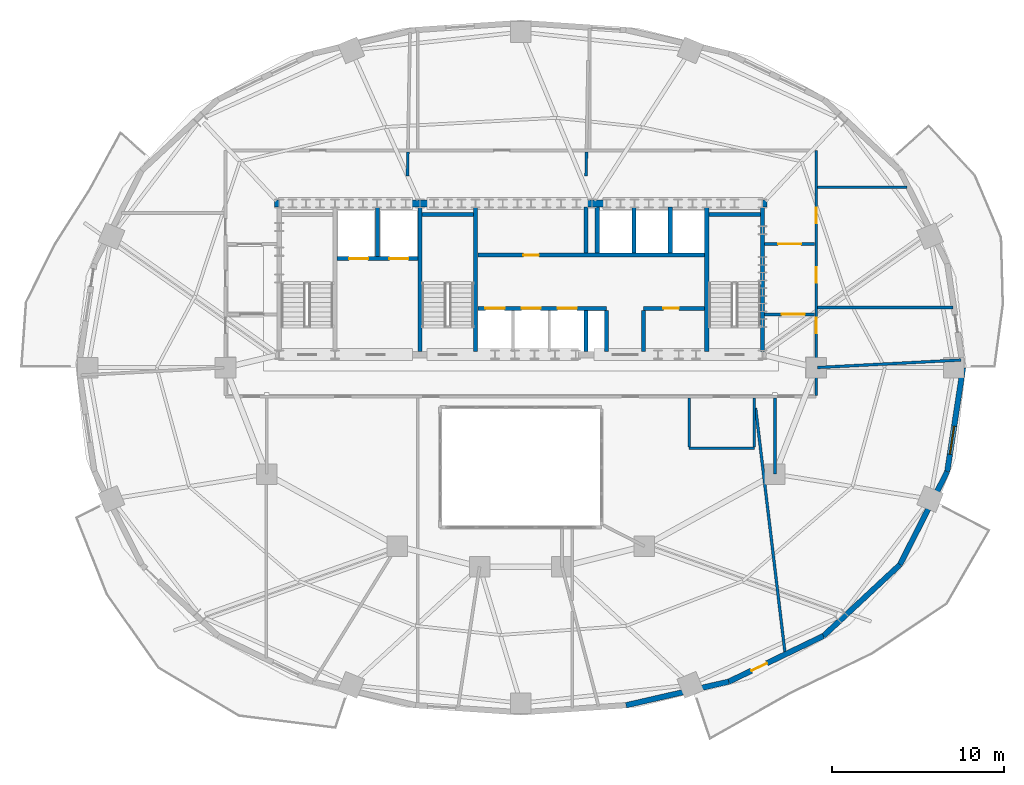
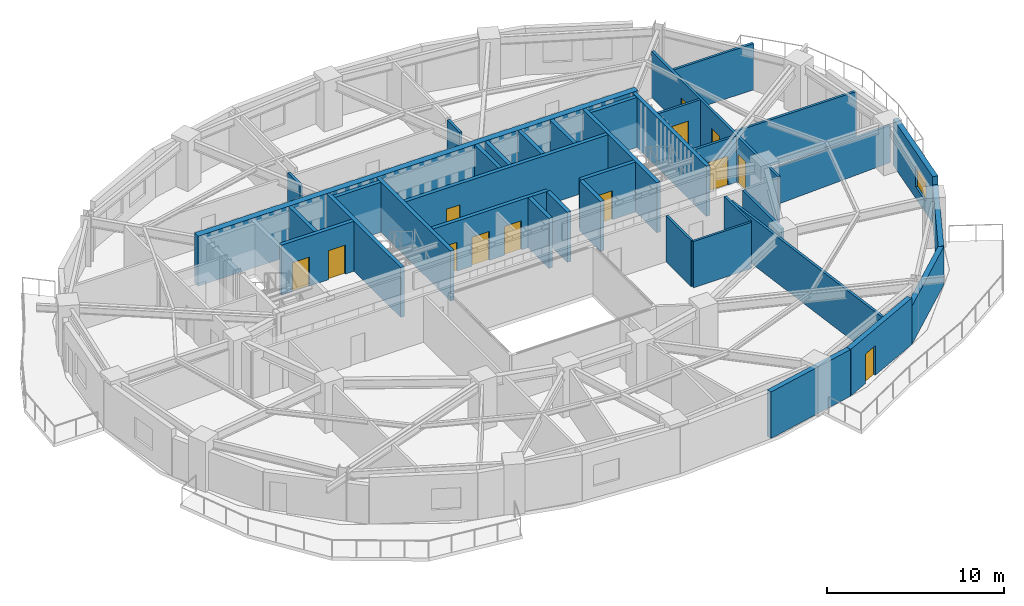
# One storey, part 7 of 11: 37 walls, 13 doors, 1 window, 14 openings.
"""IFC4 building model written with IfcOpenShell, lengths in metres."""

from ifc_helpers import new_model, si_unit, direction, frame, frame_2d, origin, place, context, subcontext, project, spatial, rectangle, extrude, material, layer, layer_set, type_object, element, fill, save


model = new_model("IFC4")

# Units and contexts
model_context = context("Model", 3, precision=1e-05, world=origin(), true_north=direction((0.0, 1.0)))
body_context = subcontext(model_context, "Body", "Model", "MODEL_VIEW")
ifc_project = project(units=[si_unit("LENGTHUNIT", "METRE"), si_unit("AREAUNIT", "SQUARE_METRE"), si_unit("VOLUMEUNIT", "CUBIC_METRE"), si_unit("PLANEANGLEUNIT", "RADIAN"), si_unit("MASSUNIT", "GRAM", prefix="KILO")], contexts=[model_context])

# Site, building, storey
site_placement = place(None, origin())
site = spatial("IfcSite", under=ifc_project, at=site_placement, CompositionType="ELEMENT")
building_placement = place(site_placement, origin())
building = spatial("IfcBuilding", under=site, at=building_placement, Name="Haldorwick Loom Tower", CompositionType="ELEMENT")
storey_placement = place(building_placement, frame((0.0, 0.0, 164.800048828125)))
storey = spatial("IfcBuildingStorey", under=building, at=storey_placement, Name="L44", CompositionType="ELEMENT", Elevation=164.800048828125)

# Wall
ifc_material_1 = material(Name="Pressed Clay Face Brick and Insulated Masonry Backup Assembly", Category="masonry")
ifc_layer_1 = layer(ifc_material_1, 0.320068359375, Name="Pressed Clay Face Brick and Insulated Masonry Backup Assembly", Category="masonry")
ifc_layer_set_1 = layer_set([ifc_layer_1], Name="Pressed Clay Face Brick and Insulated Masonry Backup Assembly")
wall_type_1 = type_object("IfcWallType", Name="ARC-WL-EXT320", PredefinedType="STANDARD", material=ifc_layer_set_1)
wall_1_placement = place(storey_placement, frame((42.12890625, 6.3359375, 0.0), z_axis=(0.0, 0.0, 1.0), x_axis=(0.974593223547, 0.223982250674, 0.0)))
element("IfcWall", 1, at=wall_1_placement, inside=storey, type_object=wall_type_1, Name="L44 Brick Pier and Spandrel Wall 20", PredefinedType="STANDARD", context=body_context, shape_type="SweptSolid", body=[
    extrude(rectangle(XDim=6.138916015625, YDim=0.320068359375, at=frame_2d((3.0693359375, 0.0))), origin(), (0.0, 0.0, 1.0), 3.2099609375),
])

# Wall, opening, door
wall_2_placement = place(storey_placement, frame((48.11181640625, 7.7109375, 0.0), z_axis=(0.0, 0.0, 1.0), x_axis=(0.900479976617, 0.434897472644, 0.0)))
wall_2 = element("IfcWall", 2, at=wall_2_placement, inside=storey, type_object=wall_type_1, Name="L44 Brick Pier and Spandrel Wall 21", PredefinedType="STANDARD", context=body_context, shape_type="SweptSolid", body=[
    extrude(rectangle(XDim=6.118408203125, YDim=0.320068359375, at=frame_2d((3.05908203125, 0.0))), origin(), (0.0, 0.0, 1.0), 3.2099609375),
])
opening_1_placement = place(wall_2_placement, frame((1.460693359375, 0.0, 0.0)))
opening_1 = element("IfcOpeningElement", 3, at=opening_1_placement, cuts=wall_2, Name="Opening D-BL10", PredefinedType="OPENING", context=body_context, shape_type="SweptSolid", body=[
    extrude(rectangle(XDim=1.0, YDim=2.0400390625, at=frame_2d((0.5, 1.02001953125))), frame((0.0, 0.169921875, 0.0), z_axis=(0.0, -1.0, 0.0), x_axis=(1.0, 0.0, 0.0)), (0.0, 0.0, 1.0), 0.340087890625),
])
ifc_material_2 = material(Name="Thermally Broken Anodized Aluminium Curtain Wall Framing", Category="aluminium")
door_type_1 = type_object("IfcDoorType", Name="ARC-DR-BAL100", OperationType="NOTDEFINED", PredefinedType="DOOR", material=ifc_material_2)
door_1_placement = place(opening_1_placement, origin())
door_1 = element("IfcDoor", 4, at=door_1_placement, inside=storey, type_object=door_type_1, Name="L44 Outdoor Terrace Door SLB-L44-BAL_SE", OperationType="SINGLE_SWING_RIGHT", OverallHeight=2.0400390625, OverallWidth=1.0, PredefinedType="DOOR", context=body_context, shape_type="SweptSolid", body=[
    extrude(rectangle(XDim=1.0, YDim=2.0400390625, at=frame_2d((0.5, 1.02001953125))), frame((0.0, 0.02490234375, 0.0), z_axis=(0.0, -1.0, 0.0), x_axis=(1.0, 0.0, 0.0)), (0.0, 0.0, 1.0), 0.050048828125),
])
fill(opening_1, door_1)

# Walls
for number, where, z_axis, x_axis, name in (
    (5, (53.621337890625, 10.371826171875, 0.0), (0.0, 0.0, 1.0), (0.731982952968, 0.681322945866, 0.0), "L44 Brick Pier and Spandrel Wall 22"),
    (6, (58.07666015625, 14.518798828125, 0.0), (0.0, 0.0, 1.0), (0.453172129629, 0.89142303141, 0.0), "L44 Brick Pier and Spandrel Wall 23"),
):
    element("IfcWall", number, at=place(storey_placement, frame(where, z_axis=z_axis, x_axis=x_axis)), inside=storey, type_object=wall_type_1, Name=name, PredefinedType="STANDARD", context=body_context, shape_type="SweptSolid", body=[
        extrude(rectangle(XDim=6.086669921875, YDim=0.320068359375, at=frame_2d((3.04345703125, 0.0))), origin(), (0.0, 0.0, 1.0), 2.640869140625),
    ])

# Wall, opening, window
wall_3_placement = place(storey_placement, frame((60.8349609375, 19.944580078125, 0.0), z_axis=(0.0, 0.0, 1.0), x_axis=(0.150544467684, 0.988603238539, 0.0)))
wall_3 = element("IfcWall", 7, at=wall_3_placement, inside=storey, type_object=wall_type_1, Name="L44 Brick Pier and Spandrel Wall 24", PredefinedType="STANDARD", context=body_context, shape_type="SweptSolid", body=[
    extrude(rectangle(XDim=6.125244140625, YDim=0.320068359375, at=frame_2d((3.0625, 0.0))), origin(), (0.0, 0.0, 1.0), 3.2099609375),
])
opening_2_placement = place(wall_3_placement, frame((1.0126953125, 0.0, 0.800048828125)))
opening_2 = element("IfcOpeningElement", 8, at=opening_2_placement, cuts=wall_3, Name="Opening W-01B", PredefinedType="OPENING", context=body_context, shape_type="SweptSolid", body=[
    extrude(rectangle(XDim=1.64990234375, YDim=1.449951171875, at=frame_2d((0.824951171875, 0.72509765625))), frame((0.0, 0.169921875, 0.0), z_axis=(0.0, -1.0, 0.0), x_axis=(1.0, 0.0, 0.0)), (0.0, 0.0, 1.0), 0.340087890625),
])
ifc_material_3 = material(Name="Triple-Glazed Low-E Argon Insulated Glazing Unit", Category="glass")
window_type = type_object("IfcWindowType", Name="ARC-WIN-W165", PartitioningType="SINGLE_PANEL", PredefinedType="WINDOW", material=ifc_material_3)
window_placement = place(opening_2_placement, origin())
window = element("IfcWindow", 9, at=window_placement, inside=storey, type_object=window_type, Name="L44 Deep-Set Zone 7A Window 24", OverallHeight=1.449951171875, OverallWidth=1.64990234375, PartitioningType="SINGLE_PANEL", PredefinedType="WINDOW", context=body_context, shape_type="SweptSolid", body=[
    extrude(rectangle(XDim=1.64990234375, YDim=1.449951171875, at=frame_2d((0.824951171875, 0.72509765625))), frame((0.0, 0.030029296875, 0.0), z_axis=(0.0, -1.0, 0.0), x_axis=(1.0, 0.0, 0.0)), (0.0, 0.0, 1.0), 0.06005859375),
])
fill(opening_2, window)

# Wall, openings, doors
ifc_material_4 = material(Name="Fire-Rated Type X Gypsum Stud Assembly EI 60")
ifc_layer_2 = layer(ifc_material_4, 0.159912109375, Name="Fire-Rated Type X Gypsum Stud Assembly EI 60")
ifc_layer_set_2 = layer_set([ifc_layer_2], Name="Fire-Rated Type X Gypsum Stud Assembly EI 60")
wall_type_2 = type_object("IfcWallType", Name="ARC-WL-FIRE160", PredefinedType="PARTITIONING", material=ifc_layer_set_2)
wall_4_placement = place(storey_placement, frame((53.199951171875, 24.383056640625, 0.0), z_axis=(0.0, 0.0, 1.0), x_axis=(0.0, 1.0, 0.0)))
wall_4 = element("IfcWall", 10, at=wall_4_placement, inside=storey, type_object=wall_type_2, Name="L44 Residential Fire Partition L44-CR-E0", PredefinedType="PARTITIONING", context=body_context, shape_type="SweptSolid", body=[
    extrude(rectangle(XDim=14.266845703125, YDim=0.159912109375, at=frame_2d((7.13330078125, 0.0))), origin(), (0.0, 0.0, 1.0), 3.195068359375),
])
opening_3_placement = place(wall_4_placement, frame((6.572021484375, 0.0, 0.0)))
opening_3 = element("IfcOpeningElement", 11, at=opening_3_placement, cuts=wall_4, Name="Opening D-FD60A", PredefinedType="OPENING", context=body_context, shape_type="SweptSolid", body=[
    extrude(rectangle(XDim=0.89990234375, YDim=2.0, at=frame_2d((0.449951171875, 1.0))), frame((0.0, 0.08984375, 0.0), z_axis=(0.0, -1.0, 0.0), x_axis=(1.0, 0.0, 0.0)), (0.0, 0.0, 1.0), 0.179931640625),
])
opening_4_placement = place(wall_4_placement, frame((3.619873046875, 0.0, 0.0)))
opening_4 = element("IfcOpeningElement", 12, at=opening_4_placement, cuts=wall_4, Name="Opening D-FD60A", PredefinedType="OPENING", context=body_context, shape_type="SweptSolid", body=[
    extrude(rectangle(XDim=0.89990234375, YDim=2.0, at=frame_2d((0.449951171875, 1.0))), frame((0.0, 0.08984375, 0.0), z_axis=(0.0, -1.0, 0.0), x_axis=(1.0, 0.0, 0.0)), (0.0, 0.0, 1.0), 0.179931640625),
])
opening_5_placement = place(wall_4_placement, frame((10.02734375, 0.0, 0.0)))
opening_5 = element("IfcOpeningElement", 13, at=opening_5_placement, cuts=wall_4, Name="Opening D-FD60A", PredefinedType="OPENING", context=body_context, shape_type="SweptSolid", body=[
    extrude(rectangle(XDim=0.89990234375, YDim=2.0, at=frame_2d((0.449951171875, 1.0))), frame((0.0, 0.08984375, 0.0), z_axis=(0.0, -1.0, 0.0), x_axis=(1.0, 0.0, 0.0)), (0.0, 0.0, 1.0), 0.179931640625),
])
ifc_material_5 = material(Name="Hollow Steel Fire Door Assembly", Category="steel")
door_type_2 = type_object("IfcDoorType", Name="ARC-DR-FD60-90", OperationType="NOTDEFINED", PredefinedType="DOOR", material=ifc_material_5)
door_2_placement = place(opening_3_placement, origin())
door_2 = element("IfcDoor", 14, at=door_2_placement, inside=storey, type_object=door_type_2, Name="L44 L44 East Residential Corridor to Co-Working Office 3 Door", OperationType="SINGLE_SWING_RIGHT", OverallHeight=2.0, OverallWidth=0.89990234375, PredefinedType="DOOR", context=body_context, shape_type="SweptSolid", body=[
    extrude(rectangle(XDim=0.89990234375, YDim=2.0, at=frame_2d((0.449951171875, 1.0))), frame((0.0, 0.02490234375, 0.0), z_axis=(0.0, -1.0, 0.0), x_axis=(1.0, 0.0, 0.0)), (0.0, 0.0, 1.0), 0.050048828125),
])
fill(opening_3, door_2)
door_3_placement = place(opening_4_placement, origin())
door_3 = element("IfcDoor", 15, at=door_3_placement, inside=storey, type_object=door_type_2, Name="L44 L44 Central Residential Corridor to Co-Working Office 1 Door", OperationType="SINGLE_SWING_LEFT", OverallHeight=2.0, OverallWidth=0.89990234375, PredefinedType="DOOR", context=body_context, shape_type="SweptSolid", body=[
    extrude(rectangle(XDim=0.89990234375, YDim=2.0, at=frame_2d((0.449951171875, 1.0))), frame((0.0, 0.02490234375, 0.0), z_axis=(0.0, -1.0, 0.0), x_axis=(1.0, 0.0, 0.0)), (0.0, 0.0, 1.0), 0.050048828125),
])
fill(opening_4, door_3)
door_4_placement = place(opening_5_placement, origin())
door_4 = element("IfcDoor", 16, at=door_4_placement, inside=storey, type_object=door_type_2, Name="L44 L44 North Residential Corridor to Co-Working Office 3 Door", OperationType="SINGLE_SWING_RIGHT", OverallHeight=2.0, OverallWidth=0.89990234375, PredefinedType="DOOR", context=body_context, shape_type="SweptSolid", body=[
    extrude(rectangle(XDim=0.89990234375, YDim=2.0, at=frame_2d((0.449951171875, 1.0))), frame((0.0, 0.02490234375, 0.0), z_axis=(0.0, -1.0, 0.0), x_axis=(1.0, 0.0, 0.0)), (0.0, 0.0, 1.0), 0.050048828125),
])
fill(opening_5, door_4)

# Wall, opening, door
wall_5_placement = place(storey_placement, frame((50.193115234375, 29.10009765625, 0.0), z_axis=(0.0, 0.0, 1.0), x_axis=(1.0, 0.0, 0.0)))
wall_5 = element("IfcWall", 17, at=wall_5_placement, inside=storey, type_object=wall_type_2, Name="L44 Residential Fire Partition L44-CR-ESJ", PredefinedType="PARTITIONING", context=body_context, shape_type="SweptSolid", body=[
    extrude(rectangle(XDim=2.923828125, YDim=0.159912109375, at=frame_2d((1.4619140625, 0.0))), origin(), (0.0, 0.0, 1.0), 3.195068359375),
])
opening_6_placement = place(wall_5_placement, frame((0.99560546875, 0.0, 0.0)))
opening_6 = element("IfcOpeningElement", 18, at=opening_6_placement, cuts=wall_5, Name="Opening D-CR15", PredefinedType="OPENING", context=body_context, shape_type="SweptSolid", body=[
    extrude(rectangle(XDim=1.35009765625, YDim=2.0, at=frame_2d((0.675048828125, 1.0))), frame((0.0, 0.08984375, 0.0), z_axis=(0.0, -1.0, 0.0), x_axis=(1.0, 0.0, 0.0)), (0.0, 0.0, 1.0), 0.179931640625),
])
ifc_material_6 = material(Name="Thermally Broken Anodized Aluminium and Tempered Glass", Category="aluminium")
door_type_3 = type_object("IfcDoorType", Name="ARC-DR-COR150", OperationType="NOTDEFINED", PredefinedType="DOOR", material=ifc_material_6)
door_5_placement = place(opening_6_placement, origin())
door_5 = element("IfcDoor", 19, at=door_5_placement, inside=storey, type_object=door_type_3, Name="L44 L44 East Residential Corridor to L44 Central Residential Corridor Do", OperationType="DOUBLE_DOOR_SINGLE_SWING", OverallHeight=2.0, OverallWidth=1.35009765625, PredefinedType="DOOR", context=body_context, shape_type="SweptSolid", body=[
    extrude(rectangle(XDim=1.35009765625, YDim=2.0, at=frame_2d((0.675048828125, 1.0))), frame((0.0, 0.02490234375, 0.0), z_axis=(0.0, -1.0, 0.0), x_axis=(1.0, 0.0, 0.0)), (0.0, 0.0, 1.0), 0.050048828125),
])
fill(opening_6, door_5)

wall_6_placement = place(storey_placement, frame((50.193115234375, 33.199951171875, 0.0), z_axis=(0.0, 0.0, 1.0), x_axis=(1.0, 0.0, 0.0)))
wall_6 = element("IfcWall", 20, at=wall_6_placement, inside=storey, type_object=wall_type_2, Name="L44 Residential Fire Partition L44-CR-ENJ", PredefinedType="PARTITIONING", context=body_context, shape_type="SweptSolid", body=[
    extrude(rectangle(XDim=2.923828125, YDim=0.159912109375, at=frame_2d((1.4619140625, 0.0))), origin(), (0.0, 0.0, 1.0), 3.195068359375),
])
opening_7_placement = place(wall_6_placement, frame((0.787109375, 0.0, 0.0)))
opening_7 = element("IfcOpeningElement", 21, at=opening_7_placement, cuts=wall_6, Name="Opening D-CR15", PredefinedType="OPENING", context=body_context, shape_type="SweptSolid", body=[
    extrude(rectangle(XDim=1.35009765625, YDim=2.0, at=frame_2d((0.675048828125, 1.0))), frame((0.0, 0.08984375, 0.0), z_axis=(0.0, -1.0, 0.0), x_axis=(1.0, 0.0, 0.0)), (0.0, 0.0, 1.0), 0.179931640625),
])
door_6_placement = place(opening_7_placement, origin())
door_6 = element("IfcDoor", 22, at=door_6_placement, inside=storey, type_object=door_type_3, Name="L44 L44 North Residential Corridor to L44 East Residential Corridor Door", OperationType="DOUBLE_DOOR_SINGLE_SWING", OverallHeight=2.0, OverallWidth=1.35009765625, PredefinedType="DOOR", context=body_context, shape_type="SweptSolid", body=[
    extrude(rectangle(XDim=1.35009765625, YDim=2.0, at=frame_2d((0.675048828125, 1.0))), frame((0.0, 0.02490234375, 0.0), z_axis=(0.0, -1.0, 0.0), x_axis=(1.0, 0.0, 0.0)), (0.0, 0.0, 1.0), 0.050048828125),
])
fill(opening_7, door_6)

# Walls
wall_7_placement = place(storey_placement, frame((53.282958984375, 26.00439453125, 0.0), z_axis=(0.0, 0.0, 1.0), x_axis=(0.99863031647, 0.052321038094, 0.0)))
element("IfcWall", 23, at=wall_7_placement, inside=storey, type_object=wall_type_2, Name="L44 Residential Fire Partition L44-ICR-01", PredefinedType="PARTITIONING", context=body_context, shape_type="SweptSolid", body=[
    extrude(rectangle(XDim=8.3525390625, YDim=0.159912109375, at=frame_2d((4.17626953125, 0.0))), origin(), (0.0, 0.0, 1.0), 2.56787109375),
])
wall_8_placement = place(storey_placement, frame((50.800048828125, 24.217041015625, 0.0), z_axis=(0.0, 0.0, 1.0), x_axis=(0.0, -1.0, 0.0)))
element("IfcWall", 24, at=wall_8_placement, inside=storey, type_object=wall_type_2, Name="L44 Residential Fire Partition L44-ICA-02", PredefinedType="PARTITIONING", context=body_context, shape_type="SweptSolid", body=[
    extrude(rectangle(XDim=4.4169921875, YDim=0.159912109375, at=frame_2d((2.20849609375, 0.0))), origin(), (0.0, 0.0, 1.0), 3.195068359375),
])
for number, where, z_axis, x_axis, name in (
    (25, (29.39990234375, 37.14990234375, 0.0), (0.0, 0.0, 1.0), (0.01739915764, 0.999848623199, 0.0), "L44 Residential Fire Partition L44-UPN-12"),
    (26, (39.800048828125, 37.14990234375, 0.0), (0.0, 0.0, 1.0), (0.01739915764, 0.999848623199, 0.0), "L44 Residential Fire Partition L44-UPN-13"),
):
    element("IfcWall", number, at=place(storey_placement, frame(where, z_axis=z_axis, x_axis=x_axis)), inside=storey, type_object=wall_type_2, Name=name, PredefinedType="PARTITIONING", context=body_context, shape_type="SweptSolid", body=[
        extrude(rectangle(XDim=1.417236328125, YDim=0.159912109375, at=frame_2d((0.70849609375, 0.0))), origin(), (0.0, 0.0, 1.0), 3.195068359375),
    ])
wall_9_placement = place(storey_placement, frame((53.282958984375, 29.5, 0.0), z_axis=(0.0, 0.0, 1.0), x_axis=(1.0, 0.0, 0.0)))
element("IfcWall", 27, at=wall_9_placement, inside=storey, type_object=wall_type_2, Name="L44 Residential Fire Partition L44-FLE-15", PredefinedType="PARTITIONING", context=body_context, shape_type="SweptSolid", body=[
    extrude(rectangle(XDim=7.875244140625, YDim=0.159912109375, at=frame_2d((3.9375, 0.0))), origin(), (0.0, 0.0, 1.0), 3.195068359375),
])
wall_10_placement = place(storey_placement, frame((53.282958984375, 36.5, 0.0), z_axis=(0.0, 0.0, 1.0), x_axis=(1.0, 0.0, 0.0)))
element("IfcWall", 28, at=wall_10_placement, inside=storey, type_object=wall_type_2, Name="L44 Residential Fire Partition L44-FLE-17", PredefinedType="PARTITIONING", context=body_context, shape_type="SweptSolid", body=[
    extrude(rectangle(XDim=5.219482421875, YDim=0.159912109375, at=frame_2d((2.60986328125, 0.0))), origin(), (0.0, 0.0, 1.0), 3.195068359375),
])
wall_11_placement = place(storey_placement, frame((51.389404296875, 9.3662109375, 0.0), z_axis=(0.0, 0.0, 1.0), x_axis=(-0.119286397993, 0.99285988702, 0.0)))
element("IfcWall", 29, at=wall_11_placement, inside=storey, type_object=wall_type_2, Name="L44 Suite Split Wall", PredefinedType="PARTITIONING", context=body_context, shape_type="SweptSolid", body=[
    extrude(rectangle(XDim=14.38818359375, YDim=0.159912109375, at=frame_2d((7.194091796875, 0.0))), origin(), (0.0, 0.0, 1.0), 3.195068359375),
])
ifc_layer_3 = layer(ifc_material_4, 0.139892578125, Name="Fire-Rated Type X Gypsum Stud Assembly EI 60")
ifc_layer_set_3 = layer_set([ifc_layer_3], Name="Fire-Rated Type X Gypsum Stud Assembly EI 60")
wall_type_3 = type_object("IfcWallType", Name="ARC-WL-PART140", PredefinedType="PARTITIONING", material=ifc_layer_set_3)
wall_12_placement = place(storey_placement, frame((45.800048828125, 21.300048828125, 0.0), z_axis=(0.0, 0.0, 1.0), x_axis=(1.0, 0.0, 0.0)))
element("IfcWall", 30, at=wall_12_placement, inside=storey, type_object=wall_type_3, Name="L44 Residential Fire Partition L44-CWC-S", PredefinedType="PARTITIONING", context=body_context, shape_type="SweptSolid", body=[
    extrude(rectangle(XDim=3.800048828125, YDim=0.139892578125, at=frame_2d((1.89990234375, 0.0))), origin(), (0.0, 0.0, 1.0), 3.195068359375),
])
for number, where, z_axis, x_axis, name in (
    (31, (45.800048828125, 21.373046875, 0.0), (0.0, 0.0, 1.0), (0.0, 1.0, 0.0), "L44 Residential Fire Partition L44-CWC-W"),
    (32, (49.60009765625, 21.373046875, 0.0), (0.0, 0.0, 1.0), (0.0, 1.0, 0.0), "L44 Residential Fire Partition L44-CWC-E"),
):
    element("IfcWall", number, at=place(storey_placement, frame(where, z_axis=z_axis, x_axis=x_axis)), inside=storey, type_object=wall_type_3, Name=name, PredefinedType="PARTITIONING", context=body_context, shape_type="SweptSolid", body=[
        extrude(rectangle(XDim=2.843994140625, YDim=0.139892578125, at=frame_2d((1.421875, 0.0))), origin(), (0.0, 0.0, 1.0), 3.195068359375),
    ])
ifc_material_7 = material(Name="Concrete C50 (50 MPa)", Category="concrete")
ifc_layer_4 = layer(ifc_material_7, 0.39990234375, Name="Concrete C50 (50 MPa)", Category="concrete")
ifc_layer_set_4 = layer_set([ifc_layer_4], Name="Concrete C50 (50 MPa)")
wall_type_4 = type_object("IfcWallType", Name="STR-WL-CORE400", PredefinedType="SHEAR", material=ifc_layer_set_4)
wall_13_placement = place(storey_placement, frame((50.35009765625, 35.550048828125, 0.0), z_axis=(0.0, 0.0, 1.0), x_axis=(-1.0, 0.0, 0.0)))
element("IfcWall", 33, at=wall_13_placement, inside=storey, type_object=wall_type_4, Name="L44 Core Shear Wall N", PredefinedType="SHEAR", context=body_context, shape_type="SweptSolid", body=[
    extrude(rectangle(XDim=28.7001953125, YDim=0.39990234375, at=frame_2d((14.35009765625, 0.0))), origin(), (0.0, 0.0, 1.0), 3.449951171875),
])
ifc_layer_5 = layer(ifc_material_7, 0.239990234375, Name="Concrete C50 (50 MPa)", Category="concrete")
ifc_layer_set_5 = layer_set([ifc_layer_5], Name="Concrete C50 (50 MPa)")
wall_type_5 = type_object("IfcWallType", Name="STR-WL-SHAFT240", PredefinedType="SHEAR", material=ifc_layer_set_5)
for number, where, z_axis, x_axis, name in (
    (34, (50.070068359375, 26.952880859375, 0.0), (0.0, 0.0, 1.0), (0.0, 1.0, 0.0), "L44 Core Shear Wall E"),
    (35, (30.1298828125, 26.952880859375, 0.0), (0.0, 0.0, 1.0), (0.0, 1.0, 0.0), "L44 Core Shear Wall 2"),
    (36, (33.3701171875, 26.952880859375, 0.0), (0.0, 0.0, 1.0), (0.0, 1.0, 0.0), "L44 Core Shear Wall 3"),
):
    element("IfcWall", number, at=place(storey_placement, frame(where, z_axis=z_axis, x_axis=x_axis)), inside=storey, type_object=wall_type_5, Name=name, PredefinedType="SHEAR", context=body_context, shape_type="SweptSolid", body=[
        extrude(rectangle(XDim=8.39404296875, YDim=0.239990234375, at=frame_2d((4.197021484375, 0.0))), origin(), (0.0, 0.0, 1.0), 3.449951171875),
    ])
wall_14_placement = place(storey_placement, frame((30.2529296875, 34.919921875, 0.0), z_axis=(0.0, 0.0, 1.0), x_axis=(1.0, 0.0, 0.0)))
element("IfcWall", 37, at=wall_14_placement, inside=storey, type_object=wall_type_5, Name="L44 Core Shear Wall 3N", PredefinedType="SHEAR", context=body_context, shape_type="SweptSolid", body=[
    extrude(rectangle(XDim=2.994140625, YDim=0.239990234375, at=frame_2d((1.4970703125, 0.0))), origin(), (0.0, 0.0, 1.0), 3.449951171875),
])
wall_15_placement = place(storey_placement, frame((46.830078125, 26.952880859375, 0.0), z_axis=(0.0, 0.0, 1.0), x_axis=(0.0, 1.0, 0.0)))
element("IfcWall", 38, at=wall_15_placement, inside=storey, type_object=wall_type_5, Name="L44 Core Shear Wall 4", PredefinedType="SHEAR", context=body_context, shape_type="SweptSolid", body=[
    extrude(rectangle(XDim=8.39404296875, YDim=0.239990234375, at=frame_2d((4.197021484375, 0.0))), origin(), (0.0, 0.0, 1.0), 3.449951171875),
])
wall_16_placement = place(storey_placement, frame((46.952880859375, 34.919921875, 0.0), z_axis=(0.0, 0.0, 1.0), x_axis=(1.0, 0.0, 0.0)))
element("IfcWall", 39, at=wall_16_placement, inside=storey, type_object=wall_type_5, Name="L44 Core Shear Wall 4N", PredefinedType="SHEAR", context=body_context, shape_type="SweptSolid", body=[
    extrude(rectangle(XDim=2.994140625, YDim=0.239990234375, at=frame_2d((1.4970703125, 0.0))), origin(), (0.0, 0.0, 1.0), 3.449951171875),
])

# Wall, openings, doors
wall_17_placement = place(storey_placement, frame((25.29296875, 32.35009765625, 0.0), z_axis=(0.0, 0.0, 1.0), x_axis=(1.0, 0.0, 0.0)))
wall_17 = element("IfcWall", 40, at=wall_17_placement, inside=storey, type_object=wall_type_5, Name="L44 Core Shear Wall FF", PredefinedType="SHEAR", context=body_context, shape_type="SweptSolid", body=[
    extrude(rectangle(XDim=4.714111328125, YDim=0.239990234375, at=frame_2d((2.35693359375, 0.0))), origin(), (0.0, 0.0, 1.0), 3.449951171875),
])
opening_8_placement = place(wall_17_placement, frame((0.70703125, 0.0, 0.0)))
opening_8 = element("IfcOpeningElement", 41, at=opening_8_placement, cuts=wall_17, Name="Opening LD-FF1", PredefinedType="OPENING", context=body_context, shape_type="SweptSolid", body=[
    extrude(rectangle(XDim=1.10009765625, YDim=2.0, at=frame_2d((0.550048828125, 1.0))), frame((0.0, 0.1298828125, 0.0), z_axis=(0.0, -1.0, 0.0), x_axis=(1.0, 0.0, 0.0)), (0.0, 0.0, 1.0), 0.260009765625),
])
opening_9_placement = place(wall_17_placement, frame((3.056884765625, 0.0, 0.0)))
opening_9 = element("IfcOpeningElement", 42, at=opening_9_placement, cuts=wall_17, Name="Opening LD-FF2", PredefinedType="OPENING", context=body_context, shape_type="SweptSolid", body=[
    extrude(rectangle(XDim=1.10009765625, YDim=2.0, at=frame_2d((0.550048828125, 1.0))), frame((0.0, 0.1298828125, 0.0), z_axis=(0.0, -1.0, 0.0), x_axis=(1.0, 0.0, 0.0)), (0.0, 0.0, 1.0), 0.260009765625),
])
door_type_4 = type_object("IfcDoorType", Name="ARC-DR-LD-FF", OperationType="NOTDEFINED", PredefinedType="USERDEFINED", material=ifc_material_5)
door_7_placement = place(opening_8_placement, origin())
door_7 = element("IfcDoor", 43, at=door_7_placement, inside=storey, type_object=door_type_4, Name="L44 Lift LF-FF1 Sliding Landing Door", ObjectType="LANDING DOOR", OperationType="DOUBLE_DOOR_SLIDING", OverallHeight=2.0, OverallWidth=1.10009765625, PredefinedType="USERDEFINED", context=body_context, shape_type="SweptSolid", body=[
    extrude(rectangle(XDim=1.10009765625, YDim=2.0, at=frame_2d((0.550048828125, 1.0))), frame((0.0, 0.02490234375, 0.0), z_axis=(0.0, -1.0, 0.0), x_axis=(1.0, 0.0, 0.0)), (0.0, 0.0, 1.0), 0.050048828125),
])
fill(opening_8, door_7)
door_8_placement = place(opening_9_placement, origin())
door_8 = element("IfcDoor", 44, at=door_8_placement, inside=storey, type_object=door_type_4, Name="L44 Lift LF-FF2 Sliding Landing Door", ObjectType="LANDING DOOR", OperationType="DOUBLE_DOOR_SLIDING", OverallHeight=2.0, OverallWidth=1.10009765625, PredefinedType="USERDEFINED", context=body_context, shape_type="SweptSolid", body=[
    extrude(rectangle(XDim=1.10009765625, YDim=2.0, at=frame_2d((0.550048828125, 1.0))), frame((0.0, 0.02490234375, 0.0), z_axis=(0.0, -1.0, 0.0), x_axis=(1.0, 0.0, 0.0)), (0.0, 0.0, 1.0), 0.050048828125),
])
fill(opening_9, door_8)

# Wall
wall_18_placement = place(storey_placement, frame((27.64990234375, 32.472900390625, 0.0), z_axis=(0.0, 0.0, 1.0), x_axis=(0.0, 1.0, 0.0)))
element("IfcWall", 45, at=wall_18_placement, inside=storey, type_object=wall_type_5, Name="L44 Core Shear Wall FFD", PredefinedType="SHEAR", context=body_context, shape_type="SweptSolid", body=[
    extrude(rectangle(XDim=2.8740234375, YDim=0.239990234375, at=frame_2d((1.43701171875, 0.0))), origin(), (0.0, 0.0, 1.0), 3.449951171875),
])

# Wall, opening, door
wall_19_placement = place(storey_placement, frame((33.492919921875, 32.550048828125, 0.0), z_axis=(0.0, 0.0, 1.0), x_axis=(1.0, 0.0, 0.0)))
wall_19 = element("IfcWall", 46, at=wall_19_placement, inside=storey, type_object=wall_type_5, Name="L44 Core Shear Wall LN", PredefinedType="SHEAR", context=body_context, shape_type="SweptSolid", body=[
    extrude(rectangle(XDim=13.214111328125, YDim=0.239990234375, at=frame_2d((6.60693359375, 0.0))), origin(), (0.0, 0.0, 1.0), 3.449951171875),
])
opening_10_placement = place(wall_19_placement, frame((2.656982421875, 0.0, 0.0)))
opening_10 = element("IfcOpeningElement", 47, at=opening_10_placement, cuts=wall_19, Name="Opening D-FD60A", PredefinedType="OPENING", context=body_context, shape_type="SweptSolid", body=[
    extrude(rectangle(XDim=0.89990234375, YDim=2.0, at=frame_2d((0.449951171875, 1.0))), frame((0.0, 0.1298828125, 0.0), z_axis=(0.0, -1.0, 0.0), x_axis=(1.0, 0.0, 0.0)), (0.0, 0.0, 1.0), 0.260009765625),
])
door_9_placement = place(opening_10_placement, frame((0.89990234375, 0.0, 0.0), z_axis=(0.0, 0.0, 1.0), x_axis=(-1.0, 0.0, 0.0)))
door_9 = element("IfcDoor", 48, at=door_9_placement, inside=storey, type_object=door_type_2, Name="L44 Housekeeping Store Door", OperationType="SINGLE_SWING_LEFT", OverallHeight=2.0, OverallWidth=0.89990234375, PredefinedType="DOOR", context=body_context, shape_type="SweptSolid", body=[
    extrude(rectangle(XDim=0.89990234375, YDim=2.0, at=frame_2d((0.449951171875, 1.0))), frame((0.0, 0.02490234375, 0.0), z_axis=(0.0, -1.0, 0.0), x_axis=(1.0, 0.0, 0.0)), (0.0, 0.0, 1.0), 0.050048828125),
])
fill(opening_10, door_9)

# Wall, openings, doors
wall_20_placement = place(storey_placement, frame((33.492919921875, 29.449951171875, 0.0), z_axis=(0.0, 0.0, 1.0), x_axis=(1.0, 0.0, 0.0)))
wall_20 = element("IfcWall", 49, at=wall_20_placement, inside=storey, type_object=wall_type_5, Name="L44 Core Shear Wall LS1", PredefinedType="SHEAR", context=body_context, shape_type="SweptSolid", body=[
    extrude(rectangle(XDim=7.507080078125, YDim=0.239990234375, at=frame_2d((3.75341796875, 0.0))), origin(), (0.0, 0.0, 1.0), 3.449951171875),
])
opening_11_placement = place(wall_20_placement, frame((0.447021484375, 0.0, 0.0)))
opening_11 = element("IfcOpeningElement", 50, at=opening_11_placement, cuts=wall_20, Name="Opening LD-M1", PredefinedType="OPENING", context=body_context, shape_type="SweptSolid", body=[
    extrude(rectangle(XDim=1.1201171875, YDim=2.0, at=frame_2d((0.56005859375, 1.0))), frame((0.0, 0.1298828125, 0.0), z_axis=(0.0, -1.0, 0.0), x_axis=(1.0, 0.0, 0.0)), (0.0, 0.0, 1.0), 0.260009765625),
])
opening_12_placement = place(wall_20_placement, frame((2.547119140625, 0.0, 0.0)))
opening_12 = element("IfcOpeningElement", 51, at=opening_12_placement, cuts=wall_20, Name="Opening LD-M2", PredefinedType="OPENING", context=body_context, shape_type="SweptSolid", body=[
    extrude(rectangle(XDim=1.1201171875, YDim=2.0, at=frame_2d((0.56005859375, 1.0))), frame((0.0, 0.1298828125, 0.0), z_axis=(0.0, -1.0, 0.0), x_axis=(1.0, 0.0, 0.0)), (0.0, 0.0, 1.0), 0.260009765625),
])
opening_13_placement = place(wall_20_placement, frame((4.64697265625, 0.0, 0.0)))
opening_13 = element("IfcOpeningElement", 52, at=opening_13_placement, cuts=wall_20, Name="Opening LD-M3", PredefinedType="OPENING", context=body_context, shape_type="SweptSolid", body=[
    extrude(rectangle(XDim=1.1201171875, YDim=2.0, at=frame_2d((0.56005859375, 1.0))), frame((0.0, 0.1298828125, 0.0), z_axis=(0.0, -1.0, 0.0), x_axis=(1.0, 0.0, 0.0)), (0.0, 0.0, 1.0), 0.260009765625),
])
door_type_5 = type_object("IfcDoorType", Name="ARC-DR-LD-PAX", OperationType="NOTDEFINED", PredefinedType="USERDEFINED", material=ifc_material_5)
door_10_placement = place(opening_11_placement, origin())
door_10 = element("IfcDoor", 53, at=door_10_placement, inside=storey, type_object=door_type_5, Name="L44 Lift LF-M1 Sliding Landing Door", ObjectType="LANDING DOOR", OperationType="DOUBLE_DOOR_SLIDING", OverallHeight=2.0, OverallWidth=1.1201171875, PredefinedType="USERDEFINED", context=body_context, shape_type="SweptSolid", body=[
    extrude(rectangle(XDim=1.1201171875, YDim=2.0, at=frame_2d((0.56005859375, 1.0))), frame((0.0, 0.02490234375, 0.0), z_axis=(0.0, -1.0, 0.0), x_axis=(1.0, 0.0, 0.0)), (0.0, 0.0, 1.0), 0.050048828125),
])
fill(opening_11, door_10)
door_11_placement = place(opening_12_placement, origin())
door_11 = element("IfcDoor", 54, at=door_11_placement, inside=storey, type_object=door_type_5, Name="L44 Lift LF-M2 Sliding Landing Door", ObjectType="LANDING DOOR", OperationType="DOUBLE_DOOR_SLIDING", OverallHeight=2.0, OverallWidth=1.1201171875, PredefinedType="USERDEFINED", context=body_context, shape_type="SweptSolid", body=[
    extrude(rectangle(XDim=1.1201171875, YDim=2.0, at=frame_2d((0.56005859375, 1.0))), frame((0.0, 0.02490234375, 0.0), z_axis=(0.0, -1.0, 0.0), x_axis=(1.0, 0.0, 0.0)), (0.0, 0.0, 1.0), 0.050048828125),
])
fill(opening_12, door_11)
door_12_placement = place(opening_13_placement, origin())
door_12 = element("IfcDoor", 55, at=door_12_placement, inside=storey, type_object=door_type_5, Name="L44 Lift LF-M3 Sliding Landing Door", ObjectType="LANDING DOOR", OperationType="DOUBLE_DOOR_SLIDING", OverallHeight=2.0, OverallWidth=1.1201171875, PredefinedType="USERDEFINED", context=body_context, shape_type="SweptSolid", body=[
    extrude(rectangle(XDim=1.1201171875, YDim=2.0, at=frame_2d((0.56005859375, 1.0))), frame((0.0, 0.02490234375, 0.0), z_axis=(0.0, -1.0, 0.0), x_axis=(1.0, 0.0, 0.0)), (0.0, 0.0, 1.0), 0.050048828125),
])
fill(opening_13, door_12)

# Wall, opening, door
wall_21_placement = place(storey_placement, frame((43.14990234375, 29.449951171875, 0.0), z_axis=(0.0, 0.0, 1.0), x_axis=(1.0, 0.0, 0.0)))
wall_21 = element("IfcWall", 56, at=wall_21_placement, inside=storey, type_object=wall_type_5, Name="L44 Core Shear Wall LS2", PredefinedType="SHEAR", context=body_context, shape_type="SweptSolid", body=[
    extrude(rectangle(XDim=3.55712890625, YDim=0.239990234375, at=frame_2d((1.778564453125, 0.0))), origin(), (0.0, 0.0, 1.0), 3.449951171875),
])
opening_14_placement = place(wall_21_placement, frame((1.14990234375, 0.0, 0.0)))
opening_14 = element("IfcOpeningElement", 57, at=opening_14_placement, cuts=wall_21, Name="Opening D-FD60A", PredefinedType="OPENING", context=body_context, shape_type="SweptSolid", body=[
    extrude(rectangle(XDim=0.89990234375, YDim=2.0, at=frame_2d((0.449951171875, 1.0))), frame((0.0, 0.1298828125, 0.0), z_axis=(0.0, -1.0, 0.0), x_axis=(1.0, 0.0, 0.0)), (0.0, 0.0, 1.0), 0.260009765625),
])
door_13_placement = place(opening_14_placement, origin())
door_13 = element("IfcDoor", 58, at=door_13_placement, inside=storey, type_object=door_type_2, Name="L44 Electrical Metering Door", OperationType="SINGLE_SWING_LEFT", OverallHeight=2.0, OverallWidth=0.89990234375, PredefinedType="DOOR", context=body_context, shape_type="SweptSolid", body=[
    extrude(rectangle(XDim=0.89990234375, YDim=2.0, at=frame_2d((0.449951171875, 1.0))), frame((0.0, 0.02490234375, 0.0), z_axis=(0.0, -1.0, 0.0), x_axis=(1.0, 0.0, 0.0)), (0.0, 0.0, 1.0), 0.050048828125),
])
fill(opening_14, door_13)

# Walls
for number, where, z_axis, x_axis, name in (
    (59, (41.0, 26.952880859375, 0.0), (0.0, 0.0, 1.0), (0.0, 1.0, 0.0), "L44 Core Shear Wall THW"),
    (60, (43.14990234375, 26.952880859375, 0.0), (0.0, 0.0, 1.0), (0.0, 1.0, 0.0), "L44 Core Shear Wall THE"),
):
    element("IfcWall", number, at=place(storey_placement, frame(where, z_axis=z_axis, x_axis=x_axis)), inside=storey, type_object=wall_type_5, Name=name, PredefinedType="SHEAR", context=body_context, shape_type="SweptSolid", body=[
        extrude(rectangle(XDim=2.3740234375, YDim=0.239990234375, at=frame_2d((1.18701171875, 0.0))), origin(), (0.0, 0.0, 1.0), 3.449951171875),
    ])
for number, where, z_axis, x_axis, name in (
    (61, (39.800048828125, 32.673095703125, 0.0), (0.0, 0.0, 1.0), (0.0, 1.0, 0.0), "L44 Core Shear Wall LHW"),
    (62, (40.449951171875, 32.673095703125, 0.0), (0.0, 0.0, 1.0), (0.0, 1.0, 0.0), "L44 Core Shear Wall H0"),
    (63, (42.60009765625, 32.673095703125, 0.0), (0.0, 0.0, 1.0), (0.0, 1.0, 0.0), "L44 Core Shear Wall H1"),
    (64, (44.699951171875, 32.673095703125, 0.0), (0.0, 0.0, 1.0), (0.0, 1.0, 0.0), "L44 Core Shear Wall H2"),
):
    element("IfcWall", number, at=place(storey_placement, frame(where, z_axis=z_axis, x_axis=x_axis)), inside=storey, type_object=wall_type_5, Name=name, PredefinedType="SHEAR", context=body_context, shape_type="SweptSolid", body=[
        extrude(rectangle(XDim=2.673828125, YDim=0.239990234375, at=frame_2d((1.3369140625, 0.0))), origin(), (0.0, 0.0, 1.0), 3.449951171875),
    ])
wall_22_placement = place(storey_placement, frame((39.800048828125, 26.952880859375, 0.0), z_axis=(0.0, 0.0, 1.0), x_axis=(0.0, 1.0, 0.0)))
element("IfcWall", 65, at=wall_22_placement, inside=storey, type_object=wall_type_5, Name="L44 Core Shear Wall MRW", PredefinedType="SHEAR", context=body_context, shape_type="SweptSolid", body=[
    extrude(rectangle(XDim=2.3740234375, YDim=0.239990234375, at=frame_2d((1.18701171875, 0.0))), origin(), (0.0, 0.0, 1.0), 3.449951171875),
])

save(model, "model.ifc")
